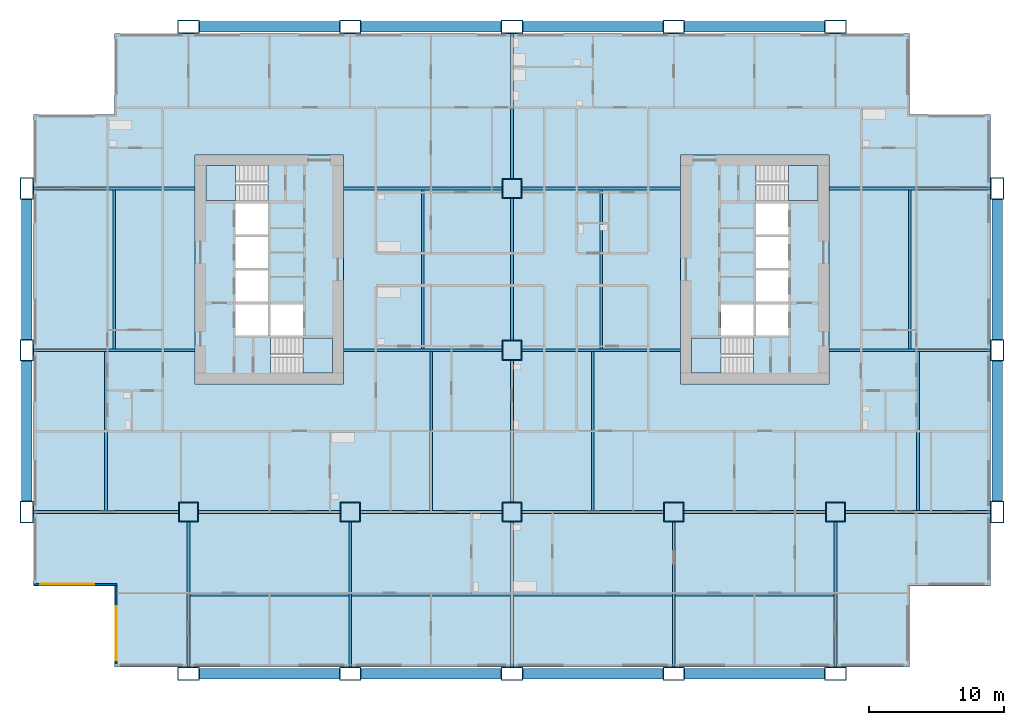
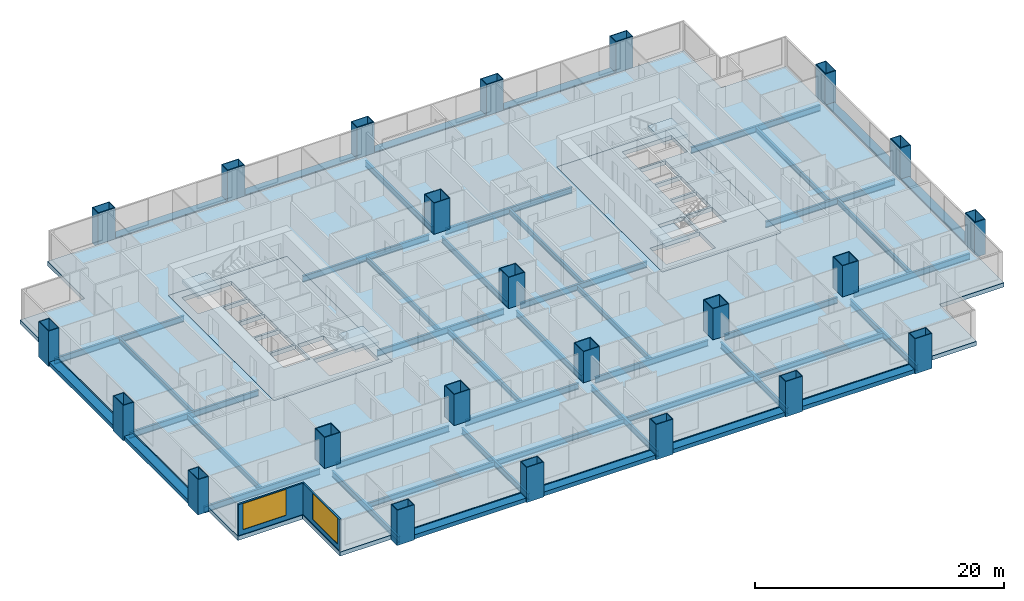
# One storey, part 1 of 13: 46 beams, 23 columns, 7 slabs, 2 walls, 2 windows, 2 openings, 4 elements without a shape of their own.
"""IFC4 building model written with IfcOpenShell, lengths in metres."""

from ifc_helpers import new_model, si_unit, direction, frame, frame_2d, origin, origin_2d, place, context, subcontext, project, spatial, polyline, rectangle, hollow_rectangle, i_section, outline, extrude, material, layer, layer_set, material_profile, profile_set, type_object, element, fill, aggregate, save


model = new_model("IFC4")

# Units and contexts
model_context = context("Model", 3, precision=1e-05, world=origin(), true_north=direction((0.0, 1.0)))
body_context = subcontext(model_context, "Body", "Model", "MODEL_VIEW")
ifc_project = project(units=[si_unit("LENGTHUNIT", "METRE"), si_unit("AREAUNIT", "SQUARE_METRE"), si_unit("VOLUMEUNIT", "CUBIC_METRE"), si_unit("PLANEANGLEUNIT", "RADIAN"), si_unit("MASSUNIT", "GRAM", prefix="KILO")], contexts=[model_context])

# Site, building, storey
site_placement = place(None, origin())
site = spatial("IfcSite", under=ifc_project, at=site_placement, CompositionType="ELEMENT")
building_placement = place(site_placement, origin())
building = spatial("IfcBuilding", under=site, at=building_placement, Name="Kitamizu Gate Tower and Museum", CompositionType="ELEMENT")
storey_placement = place(building_placement, frame((0.0, 0.0, 78.300048828125)))
storey = spatial("IfcBuildingStorey", under=building, at=storey_placement, Name="L19", CompositionType="ELEMENT", Elevation=78.300048828125)

# Columns
ifc_material_1 = material(Name="Steel SM490A bronze coated", Category="steel")
ifc_material_profile_1 = material_profile(ifc_material_1, hollow_rectangle(XDim=1.60009765625, YDim=1.0, WallThickness=0.06494140625, at=origin_2d()), Name="BOX 1600x1000x65")
ifc_profile_set_1 = profile_set([ifc_material_profile_1], Name="Steel SM490A bronze coated")
column_type_1 = type_object("IfcColumnType", Name="Exoskeleton column XC3 BOX 1600x1000x65", PredefinedType="COLUMN", material=ifc_profile_set_1)
for number, where, z_axis, x_axis, name in (
    (1, (0.0, 12.0, -0.400146484375), (0.0, 0.0, 1.0), (0.0, 1.0, 0.0), "Column XC3 1B L19"),
    (2, (0.0, 24.0, -0.400146484375), (0.0, 0.0, 1.0), (0.0, 1.0, 0.0), "Column XC3 1C L19"),
    (3, (0.0, 36.0, -0.400146484375), (0.0, 0.0, 1.0), (0.0, 1.0, 0.0), "Column XC3 1D L19"),
    (4, (12.0, 0.0, -0.400146484375), (0.0, 0.0, 1.0), (1.0, 0.0, 0.0), "Column XC3 2A L19"),
    (5, (12.0, 48.0, -0.400146484375), (0.0, 0.0, 1.0), (1.0, 0.0, 0.0), "Column XC3 2E L19"),
    (6, (24.0, 0.0, -0.400146484375), (0.0, 0.0, 1.0), (1.0, 0.0, 0.0), "Column XC3 3A L19"),
    (7, (24.0, 48.0, -0.400146484375), (0.0, 0.0, 1.0), (1.0, 0.0, 0.0), "Column XC3 3E L19"),
    (8, (36.0, 0.0, -0.400146484375), (0.0, 0.0, 1.0), (1.0, 0.0, 0.0), "Column XC3 4A L19"),
    (9, (36.0, 48.0, -0.400146484375), (0.0, 0.0, 1.0), (1.0, 0.0, 0.0), "Column XC3 4E L19"),
    (10, (48.0, 0.0, -0.400146484375), (0.0, 0.0, 1.0), (1.0, 0.0, 0.0), "Column XC3 5A L19"),
    (11, (48.0, 48.0, -0.400146484375), (0.0, 0.0, 1.0), (1.0, 0.0, 0.0), "Column XC3 5E L19"),
    (12, (60.0, 0.0, -0.400146484375), (0.0, 0.0, 1.0), (1.0, 0.0, 0.0), "Column XC3 6A L19"),
    (13, (60.0, 48.0, -0.400146484375), (0.0, 0.0, 1.0), (1.0, 0.0, 0.0), "Column XC3 6E L19"),
    (14, (72.0, 12.0, -0.400146484375), (0.0, 0.0, 1.0), (0.0, 1.0, 0.0), "Column XC3 7B L19"),
    (15, (72.0, 24.0, -0.400146484375), (0.0, 0.0, 1.0), (0.0, 1.0, 0.0), "Column XC3 7C L19"),
    (16, (72.0, 36.0, -0.400146484375), (0.0, 0.0, 1.0), (0.0, 1.0, 0.0), "Column XC3 7D L19"),
):
    element("IfcColumn", number, at=place(storey_placement, frame(where, z_axis=z_axis, x_axis=x_axis)), inside=storey, type_object=column_type_1, Name=name, PredefinedType="COLUMN", context=body_context, shape_type="SweptSolid", body=[
        extrude(hollow_rectangle(XDim=1.60009765625, YDim=1.0, WallThickness=0.06494140625, at=origin_2d()), origin(), (0.0, 0.0, 1.0), 3.4501953125),
    ])
ifc_material_2 = material(Name="Steel SM490A", Category="steel")
ifc_material_profile_2 = material_profile(ifc_material_2, hollow_rectangle(XDim=1.5, YDim=1.5, WallThickness=0.06494140625, at=origin_2d()), Name="BOX 1500x1500x65")
ifc_profile_set_2 = profile_set([ifc_material_profile_2], Name="Steel SM490A")
column_type_2 = type_object("IfcColumnType", Name="Interior column IC2 BOX 1500x1500x65", PredefinedType="COLUMN", material=ifc_profile_set_2)
for number, where, z_axis, x_axis, name in (
    (17, (12.0, 12.0, 0.0), (0.0, 0.0, 1.0), (1.0, 0.0, 0.0), "Column IC2 2B L19"),
    (18, (24.0, 12.0, 0.0), (0.0, 0.0, 1.0), (1.0, 0.0, 0.0), "Column IC2 3B L19"),
    (19, (36.0, 12.0, 0.0), (0.0, 0.0, 1.0), (1.0, 0.0, 0.0), "Column IC2 4B L19"),
    (20, (36.0, 24.0, 0.0), (0.0, 0.0, 1.0), (1.0, 0.0, 0.0), "Column IC2 4C L19"),
    (21, (36.0, 36.0, 0.0), (0.0, 0.0, 1.0), (1.0, 0.0, 0.0), "Column IC2 4D L19"),
    (22, (48.0, 12.0, 0.0), (0.0, 0.0, 1.0), (1.0, 0.0, 0.0), "Column IC2 5B L19"),
    (23, (60.0, 12.0, 0.0), (0.0, 0.0, 1.0), (1.0, 0.0, 0.0), "Column IC2 6B L19"),
):
    element("IfcColumn", number, at=place(storey_placement, frame(where, z_axis=z_axis, x_axis=x_axis)), inside=storey, type_object=column_type_2, Name=name, PredefinedType="COLUMN", context=body_context, shape_type="SweptSolid", body=[
        extrude(hollow_rectangle(XDim=1.5, YDim=1.5, WallThickness=0.06494140625, at=origin_2d()), origin(), (0.0, 0.0, 1.0), 3.050048828125),
    ])

# Beams
ifc_material_3 = material(Name="Steel SM490A bronze coated", Category="steel")
ifc_material_profile_3 = material_profile(ifc_material_3, hollow_rectangle(XDim=0.800048828125, YDim=0.39990234375, WallThickness=0.0400390625, at=origin_2d()), Name="BOX 800x400x40")
ifc_profile_set_3 = profile_set([ifc_material_profile_3], Name="Steel SM490A bronze coated")
beam_type_1 = type_object("IfcBeamType", Name="Exoskeleton spandrel beam SB1 BOX 800x400x40", PredefinedType="SPANDREL", material=ifc_profile_set_3)
for number, where, z_axis, x_axis, name in (
    (24, (12.800048828125, 0.0, -0.199951171875), (1.0, 0.0, 0.0), (0.0, 1.0, 0.0), "Exoskeleton spandrel beam south 12 L19"),
    (25, (24.800048828125, 0.0, -0.199951171875), (1.0, 0.0, 0.0), (0.0, 1.0, 0.0), "Exoskeleton spandrel beam south 24 L19"),
    (26, (36.800048828125, 0.0, -0.199951171875), (1.0, 0.0, 0.0), (0.0, 1.0, 0.0), "Exoskeleton spandrel beam south 36 L19"),
    (27, (48.800048828125, 0.0, -0.199951171875), (1.0, 0.0, 0.0), (0.0, 1.0, 0.0), "Exoskeleton spandrel beam south 48 L19"),
    (28, (12.800048828125, 48.0, -0.199951171875), (1.0, 0.0, 0.0), (0.0, 1.0, 0.0), "Exoskeleton spandrel beam north 12 L19"),
    (29, (24.800048828125, 48.0, -0.199951171875), (1.0, 0.0, 0.0), (0.0, 1.0, 0.0), "Exoskeleton spandrel beam north 24 L19"),
    (30, (36.800048828125, 48.0, -0.199951171875), (1.0, 0.0, 0.0), (0.0, 1.0, 0.0), "Exoskeleton spandrel beam north 36 L19"),
    (31, (48.800048828125, 48.0, -0.199951171875), (1.0, 0.0, 0.0), (0.0, 1.0, 0.0), "Exoskeleton spandrel beam north 48 L19"),
    (32, (0.0, 12.800048828125, -0.199951171875), (0.0, 1.0, 0.0), (-1.0, 0.0, 0.0), "Exoskeleton spandrel beam west 12 L19"),
    (33, (0.0, 24.800048828125, -0.199951171875), (0.0, 1.0, 0.0), (-1.0, 0.0, 0.0), "Exoskeleton spandrel beam west 24 L19"),
    (34, (72.0, 12.800048828125, -0.199951171875), (0.0, 1.0, 0.0), (-1.0, 0.0, 0.0), "Exoskeleton spandrel beam east 12 L19"),
    (35, (72.0, 24.800048828125, -0.199951171875), (0.0, 1.0, 0.0), (-1.0, 0.0, 0.0), "Exoskeleton spandrel beam east 24 L19"),
):
    element("IfcBeam", number, at=place(storey_placement, frame(where, z_axis=z_axis, x_axis=x_axis)), inside=storey, type_object=beam_type_1, Name=name, PredefinedType="SPANDREL", context=body_context, shape_type="SweptSolid", body=[
        extrude(hollow_rectangle(XDim=0.800048828125, YDim=0.39990234375, WallThickness=0.0400390625, at=origin_2d()), origin(), (0.0, 0.0, 1.0), 10.39990234375),
    ])
ifc_material_4 = material(Name="Steel SM490A", Category="steel")
ifc_material_profile_4 = material_profile(ifc_material_4, i_section(OverallWidth=0.199951171875, OverallDepth=0.5, WebThickness=0.010009765625, FlangeThickness=0.01611328125, FilletRadius=0.02001953125, at=origin_2d()), Name="H-500x200x10x16")
ifc_profile_set_4 = profile_set([ifc_material_profile_4], Name="Steel SM490A")
beam_type_2 = type_object("IfcBeamType", Name="Floor beam FB1 H 500x200x10x16", PredefinedType="BEAM", material=ifc_profile_set_4)
for number, where, z_axis, x_axis, name in (
    (36, (12.10009765625, 5.875, -0.650146484375), (1.0, 0.0, 0.0), (0.0, 1.0, 0.0), "Floor beam FB1 L19-1"),
    (37, (24.10009765625, 5.875, -0.650146484375), (1.0, 0.0, 0.0), (0.0, 1.0, 0.0), "Floor beam FB1 L19-2"),
    (38, (36.10009765625, 5.875, -0.650146484375), (1.0, 0.0, 0.0), (0.0, 1.0, 0.0), "Floor beam FB1 L19-3"),
    (39, (48.10009765625, 5.875, -0.650146484375), (1.0, 0.0, 0.0), (0.0, 1.0, 0.0), "Floor beam FB1 L19-4"),
    (40, (5.875, 12.10009765625, -0.650146484375), (0.0, 1.0, 0.0), (-1.0, 0.0, 0.0), "Floor beam FB1 L19-5"),
    (41, (30.0, 12.10009765625, -0.650146484375), (0.0, 1.0, 0.0), (-1.0, 0.0, 0.0), "Floor beam FB1 L19-6"),
    (42, (42.0, 12.10009765625, -0.650146484375), (0.0, 1.0, 0.0), (-1.0, 0.0, 0.0), "Floor beam FB1 L19-7"),
    (43, (66.125, 12.10009765625, -0.650146484375), (0.0, 1.0, 0.0), (-1.0, 0.0, 0.0), "Floor beam FB1 L19-8"),
    (44, (6.5, 24.10009765625, -0.650146484375), (0.0, 1.0, 0.0), (-1.0, 0.0, 0.0), "Floor beam FB1 L19-9"),
    (45, (29.375, 24.10009765625, -0.650146484375), (0.0, 1.0, 0.0), (-1.0, 0.0, 0.0), "Floor beam FB1 L19-10"),
    (46, (42.625, 24.10009765625, -0.650146484375), (0.0, 1.0, 0.0), (-1.0, 0.0, 0.0), "Floor beam FB1 L19-11"),
    (47, (65.5, 24.10009765625, -0.650146484375), (0.0, 1.0, 0.0), (-1.0, 0.0, 0.0), "Floor beam FB1 L19-12"),
):
    element("IfcBeam", number, at=place(storey_placement, frame(where, z_axis=z_axis, x_axis=x_axis)), inside=storey, type_object=beam_type_2, Name=name, PredefinedType="BEAM", context=body_context, shape_type="SweptSolid", body=[
        extrude(i_section(OverallWidth=0.199951171875, OverallDepth=0.5, WebThickness=0.010009765625, FlangeThickness=0.01611328125, FilletRadius=0.02001953125, at=origin_2d()), origin(), (0.0, 0.0, 1.0), 11.7998046875),
    ])
ifc_material_5 = material(Name="Steel SM490A", Category="steel")
ifc_material_profile_5 = material_profile(ifc_material_5, i_section(OverallWidth=0.199951171875, OverallDepth=0.60009765625, WebThickness=0.010986328125, FlangeThickness=0.01708984375, FilletRadius=0.02197265625, at=origin_2d()), Name="H-600x200x11x17")
ifc_profile_set_5 = profile_set([ifc_material_profile_5], Name="Steel SM490A")
beam_type_3 = type_object("IfcBeamType", Name="Floor girder FG1 H 600x200x11x17", PredefinedType="BEAM", material=ifc_profile_set_5)
for number, where, z_axis, x_axis, name in (
    (48, (12.0, 0.5, -0.699951171875), (0.0, 1.0, 0.0), (-1.0, 0.0, 0.0), "Floor girder FG1 x12 L19"),
    (49, (24.0, 0.5, -0.699951171875), (0.0, 1.0, 0.0), (-1.0, 0.0, 0.0), "Floor girder FG1 x24 L19"),
    (50, (36.0, 0.5, -0.699951171875), (0.0, 1.0, 0.0), (-1.0, 0.0, 0.0), "Floor girder FG1 x36 L19"),
):
    element("IfcBeam", number, at=place(storey_placement, frame(where, z_axis=z_axis, x_axis=x_axis)), inside=storey, type_object=beam_type_3, Name=name, PredefinedType="BEAM", context=body_context, shape_type="SweptSolid", body=[
        extrude(i_section(OverallWidth=0.199951171875, OverallDepth=0.60009765625, WebThickness=0.010986328125, FlangeThickness=0.01708984375, FilletRadius=0.02197265625, at=origin_2d()), origin(), (0.0, 0.0, 1.0), 10.75),
    ])
for number, where, z_axis, x_axis, name in (
    (51, (36.0, 12.75, -0.699951171875), (0.0, 1.0, 0.0), (-1.0, 0.0, 0.0), "Floor girder FG1 x36 L19"),
    (52, (36.0, 24.75, -0.699951171875), (0.0, 1.0, 0.0), (-1.0, 0.0, 0.0), "Floor girder FG1 x36 L19"),
):
    element("IfcBeam", number, at=place(storey_placement, frame(where, z_axis=z_axis, x_axis=x_axis)), inside=storey, type_object=beam_type_3, Name=name, PredefinedType="BEAM", context=body_context, shape_type="SweptSolid", body=[
        extrude(i_section(OverallWidth=0.199951171875, OverallDepth=0.60009765625, WebThickness=0.010986328125, FlangeThickness=0.01708984375, FilletRadius=0.02197265625, at=origin_2d()), origin(), (0.0, 0.0, 1.0), 10.5),
    ])
for number, where, z_axis, x_axis, name in (
    (53, (36.0, 36.75, -0.699951171875), (0.0, 1.0, 0.0), (-1.0, 0.0, 0.0), "Floor girder FG1 x36 L19"),
    (54, (48.0, 0.5, -0.699951171875), (0.0, 1.0, 0.0), (-1.0, 0.0, 0.0), "Floor girder FG1 x48 L19"),
    (55, (60.0, 0.5, -0.699951171875), (0.0, 1.0, 0.0), (-1.0, 0.0, 0.0), "Floor girder FG1 x60 L19"),
    (56, (0.5, 12.0, -0.699951171875), (1.0, 0.0, 0.0), (0.0, 1.0, 0.0), "Floor girder FG1 y12 L19"),
):
    element("IfcBeam", number, at=place(storey_placement, frame(where, z_axis=z_axis, x_axis=x_axis)), inside=storey, type_object=beam_type_3, Name=name, PredefinedType="BEAM", context=body_context, shape_type="SweptSolid", body=[
        extrude(i_section(OverallWidth=0.199951171875, OverallDepth=0.60009765625, WebThickness=0.010986328125, FlangeThickness=0.01708984375, FilletRadius=0.02197265625, at=origin_2d()), origin(), (0.0, 0.0, 1.0), 10.75),
    ])
for number, where, z_axis, x_axis, name in (
    (57, (12.75, 12.0, -0.699951171875), (1.0, 0.0, 0.0), (0.0, 1.0, 0.0), "Floor girder FG1 y12 L19"),
    (58, (24.75, 12.0, -0.699951171875), (1.0, 0.0, 0.0), (0.0, 1.0, 0.0), "Floor girder FG1 y12 L19"),
    (59, (36.75, 12.0, -0.699951171875), (1.0, 0.0, 0.0), (0.0, 1.0, 0.0), "Floor girder FG1 y12 L19"),
    (60, (48.75, 12.0, -0.699951171875), (1.0, 0.0, 0.0), (0.0, 1.0, 0.0), "Floor girder FG1 y12 L19"),
):
    element("IfcBeam", number, at=place(storey_placement, frame(where, z_axis=z_axis, x_axis=x_axis)), inside=storey, type_object=beam_type_3, Name=name, PredefinedType="BEAM", context=body_context, shape_type="SweptSolid", body=[
        extrude(i_section(OverallWidth=0.199951171875, OverallDepth=0.60009765625, WebThickness=0.010986328125, FlangeThickness=0.01708984375, FilletRadius=0.02197265625, at=origin_2d()), origin(), (0.0, 0.0, 1.0), 10.5),
    ])
beam_1_placement = place(storey_placement, frame((60.75, 12.0, -0.699951171875), z_axis=(1.0, 0.0, 0.0), x_axis=(0.0, 1.0, 0.0)))
element("IfcBeam", 61, at=beam_1_placement, inside=storey, type_object=beam_type_3, Name="Floor girder FG1 y12 L19", PredefinedType="BEAM", context=body_context, shape_type="SweptSolid", body=[
    extrude(i_section(OverallWidth=0.199951171875, OverallDepth=0.60009765625, WebThickness=0.010986328125, FlangeThickness=0.01708984375, FilletRadius=0.02197265625, at=origin_2d()), origin(), (0.0, 0.0, 1.0), 10.75),
])
beam_2_placement = place(storey_placement, frame((0.5, 24.0, -0.699951171875), z_axis=(1.0, 0.0, 0.0), x_axis=(0.0, 1.0, 0.0)))
element("IfcBeam", 62, at=beam_2_placement, inside=storey, type_object=beam_type_3, Name="Floor girder FG1 y24 L19", PredefinedType="BEAM", context=body_context, shape_type="SweptSolid", body=[
    extrude(i_section(OverallWidth=0.199951171875, OverallDepth=0.60009765625, WebThickness=0.010986328125, FlangeThickness=0.01708984375, FilletRadius=0.02197265625, at=origin_2d()), origin(), (0.0, 0.0, 1.0), 12.0),
])
for number, where, z_axis, x_axis, name in (
    (63, (23.5, 24.0, -0.699951171875), (1.0, 0.0, 0.0), (0.0, 1.0, 0.0), "Floor girder FG1 y24 L19"),
    (64, (36.75, 24.0, -0.699951171875), (1.0, 0.0, 0.0), (0.0, 1.0, 0.0), "Floor girder FG1 y24 L19"),
):
    element("IfcBeam", number, at=place(storey_placement, frame(where, z_axis=z_axis, x_axis=x_axis)), inside=storey, type_object=beam_type_3, Name=name, PredefinedType="BEAM", context=body_context, shape_type="SweptSolid", body=[
        extrude(i_section(OverallWidth=0.199951171875, OverallDepth=0.60009765625, WebThickness=0.010986328125, FlangeThickness=0.01708984375, FilletRadius=0.02197265625, at=origin_2d()), origin(), (0.0, 0.0, 1.0), 11.75),
    ])
for number, where, z_axis, x_axis, name in (
    (65, (59.5, 24.0, -0.699951171875), (1.0, 0.0, 0.0), (0.0, 1.0, 0.0), "Floor girder FG1 y24 L19"),
    (66, (0.5, 36.0, -0.699951171875), (1.0, 0.0, 0.0), (0.0, 1.0, 0.0), "Floor girder FG1 y36 L19"),
):
    element("IfcBeam", number, at=place(storey_placement, frame(where, z_axis=z_axis, x_axis=x_axis)), inside=storey, type_object=beam_type_3, Name=name, PredefinedType="BEAM", context=body_context, shape_type="SweptSolid", body=[
        extrude(i_section(OverallWidth=0.199951171875, OverallDepth=0.60009765625, WebThickness=0.010986328125, FlangeThickness=0.01708984375, FilletRadius=0.02197265625, at=origin_2d()), origin(), (0.0, 0.0, 1.0), 12.0),
    ])
for number, where, z_axis, x_axis, name in (
    (67, (23.5, 36.0, -0.699951171875), (1.0, 0.0, 0.0), (0.0, 1.0, 0.0), "Floor girder FG1 y36 L19"),
    (68, (36.75, 36.0, -0.699951171875), (1.0, 0.0, 0.0), (0.0, 1.0, 0.0), "Floor girder FG1 y36 L19"),
):
    element("IfcBeam", number, at=place(storey_placement, frame(where, z_axis=z_axis, x_axis=x_axis)), inside=storey, type_object=beam_type_3, Name=name, PredefinedType="BEAM", context=body_context, shape_type="SweptSolid", body=[
        extrude(i_section(OverallWidth=0.199951171875, OverallDepth=0.60009765625, WebThickness=0.010986328125, FlangeThickness=0.01708984375, FilletRadius=0.02197265625, at=origin_2d()), origin(), (0.0, 0.0, 1.0), 11.75),
    ])
beam_3_placement = place(storey_placement, frame((59.5, 36.0, -0.699951171875), z_axis=(1.0, 0.0, 0.0), x_axis=(0.0, 1.0, 0.0)))
element("IfcBeam", 69, at=beam_3_placement, inside=storey, type_object=beam_type_3, Name="Floor girder FG1 y36 L19", PredefinedType="BEAM", context=body_context, shape_type="SweptSolid", body=[
    extrude(i_section(OverallWidth=0.199951171875, OverallDepth=0.60009765625, WebThickness=0.010986328125, FlangeThickness=0.01708984375, FilletRadius=0.02197265625, at=origin_2d()), origin(), (0.0, 0.0, 1.0), 12.0),
])

# Slabs
ifc_material_6 = material(Name="Concrete Fc36", Category="concrete")
ifc_layer_1 = layer(ifc_material_6, 0.39990234375)
ifc_layer_set_1 = layer_set([ifc_layer_1], Name="Concrete Fc36")
slab_type_1 = type_object("IfcSlabType", Name="Core floor slab 400", PredefinedType="FLOOR", material=ifc_layer_set_1)
slab_1_placement = place(storey_placement, frame((0.0, 0.0, -0.400146484375)))
element("IfcSlab", 70, at=slab_1_placement, inside=storey, type_object=slab_type_1, Name="Core floor slab W", PredefinedType="FLOOR", context=body_context, shape_type="SweptSolid", body=[
    extrude(outline(polyline([(12.5, 21.5), (23.5, 21.5), (23.5, 38.5), (12.5, 38.5), (12.5, 21.5)]), holes=[polyline([(15.5, 25.10009765625), (17.89990234375, 25.10009765625), (17.89990234375, 27.39990234375), (15.5, 27.39990234375), (15.5, 25.10009765625)]), polyline([(15.5, 27.60009765625), (17.89990234375, 27.60009765625), (17.89990234375, 29.89990234375), (15.5, 29.89990234375), (15.5, 27.60009765625)]), polyline([(15.5, 30.10009765625), (17.89990234375, 30.10009765625), (17.89990234375, 32.39990234375), (15.5, 32.39990234375), (15.5, 30.10009765625)]), polyline([(15.5, 32.60009765625), (17.89990234375, 32.60009765625), (17.89990234375, 34.89990234375), (15.5, 34.89990234375), (15.5, 32.60009765625)]), polyline([(18.10009765625, 25.10009765625), (20.5, 25.10009765625), (20.5, 27.39990234375), (18.10009765625, 27.39990234375), (18.10009765625, 25.10009765625)]), polyline([(18.1005859375, 22.300048828125), (22.699951171875, 22.300048828125), (22.699951171875, 24.89990234375), (18.1005859375, 24.89990234375), (18.1005859375, 22.300048828125)]), polyline([(13.300048828125, 35.10009765625), (17.8994140625, 35.10009765625), (17.8994140625, 37.699951171875), (13.300048828125, 37.699951171875), (13.300048828125, 35.10009765625)])]), origin(), (0.0, 0.0, 1.0), 0.400146484375),
])
slab_2_placement = place(storey_placement, frame((0.0, 0.0, -0.400146484375)))
element("IfcSlab", 71, at=slab_2_placement, inside=storey, type_object=slab_type_1, Name="Core floor slab E", PredefinedType="FLOOR", context=body_context, shape_type="SweptSolid", body=[
    extrude(outline(polyline([(48.5, 21.5), (59.5, 21.5), (59.5, 38.5), (48.5, 38.5), (48.5, 21.5)]), holes=[polyline([(54.10009765625, 25.10009765625), (56.5, 25.10009765625), (56.5, 27.39990234375), (54.10009765625, 27.39990234375), (54.10009765625, 25.10009765625)]), polyline([(54.10009765625, 27.60009765625), (56.5, 27.60009765625), (56.5, 29.89990234375), (54.10009765625, 29.89990234375), (54.10009765625, 27.60009765625)]), polyline([(54.10009765625, 30.10009765625), (56.5, 30.10009765625), (56.5, 32.39990234375), (54.10009765625, 32.39990234375), (54.10009765625, 30.10009765625)]), polyline([(54.10009765625, 32.60009765625), (56.5, 32.60009765625), (56.5, 34.89990234375), (54.10009765625, 34.89990234375), (54.10009765625, 32.60009765625)]), polyline([(51.5, 25.10009765625), (53.89990234375, 25.10009765625), (53.89990234375, 27.39990234375), (51.5, 27.39990234375), (51.5, 25.10009765625)]), polyline([(49.300048828125, 22.300048828125), (53.8994140625, 22.300048828125), (53.8994140625, 24.89990234375), (49.300048828125, 24.89990234375), (49.300048828125, 22.300048828125)]), polyline([(54.1005859375, 35.10009765625), (58.699951171875, 35.10009765625), (58.699951171875, 37.699951171875), (54.1005859375, 37.699951171875), (54.1005859375, 35.10009765625)])]), origin(), (0.0, 0.0, 1.0), 0.400146484375),
])
ifc_material_7 = material(Name="Concrete Fc36", Category="concrete")
ifc_layer_2 = layer(ifc_material_7, 0.39990234375)
ifc_layer_set_2 = layer_set([ifc_layer_2], Name="Concrete Fc36")
slab_type_2 = type_object("IfcSlabType", Name="Post tensioned flat slab 400", PredefinedType="FLOOR", material=ifc_layer_set_2)
slab_3_placement = place(storey_placement, frame((0.0, 0.0, -0.400146484375)))
element("IfcSlab", 72, at=slab_3_placement, inside=storey, type_object=slab_type_2, Name="Floor slab L19-1", PredefinedType="FLOOR", context=body_context, shape_type="SweptSolid", body=[
    extrude(outline(polyline([(0.5, 6.5), (0.5, 41.5), (6.5, 41.5), (6.5, 47.5), (65.5, 47.5), (65.5, 41.5), (71.5, 41.5), (71.5, 6.5), (65.5, 6.5), (65.5, 0.5), (6.5, 0.5), (6.5, 6.5), (0.5, 6.5)]), holes=[polyline([(59.5, 38.5), (48.5, 38.5), (48.5, 21.5), (59.5, 21.5), (59.5, 38.5)]), polyline([(12.5, 38.5), (12.5, 21.5), (23.5, 21.5), (23.5, 38.5), (12.5, 38.5)])]), origin(), (0.0, 0.0, 1.0), 0.400146484375),
])

# Stair, slab
ifc_material_8 = material(Name="Concrete Fc42", Category="concrete")
stair_type = type_object("IfcStairType", Name="Exit stair 1200 wide 192 rise 300 going", PredefinedType="HALF_TURN_STAIR", material=ifc_material_8)
stair_1_placement = place(storey_placement, origin())
stair_1 = element("IfcStair", 73, at=stair_1_placement, inside=storey, type_object=stair_type, Name="Exit stair ST1", PredefinedType="HALF_TURN_STAIR")
ifc_material_9 = material(Name="Concrete Fc42", Category="concrete")
ifc_layer_3 = layer(ifc_material_9, 0.300048828125)
ifc_layer_set_3 = layer_set([ifc_layer_3], Name="Concrete Fc42")
slab_type_3 = type_object("IfcSlabType", Name="Stair landing 300", PredefinedType="LANDING", material=ifc_layer_set_3)
slab_4_placement = place(storey_placement, frame((0.0, 0.0, 1.425048828125)))
slab_4 = element("IfcSlab", 74, at=slab_4_placement, type_object=slab_type_3, Name="ST1 landing 1", PredefinedType="LANDING", context=body_context, shape_type="SweptSolid", body=[
    extrude(outline(polyline([(20.5, 22.300048828125), (22.699951171875, 22.300048828125), (22.699951171875, 24.89990234375), (20.5, 24.89990234375), (20.5, 22.300048828125)])), origin(), (0.0, 0.0, 1.0), 0.2998046875),
])
aggregate(stair_1, [slab_4])

stair_2_placement = place(storey_placement, origin())
stair_2 = element("IfcStair", 75, at=stair_2_placement, inside=storey, type_object=stair_type, Name="Exit stair ST2", PredefinedType="HALF_TURN_STAIR")
slab_5_placement = place(storey_placement, frame((0.0, 0.0, 1.425048828125)))
slab_5 = element("IfcSlab", 76, at=slab_5_placement, type_object=slab_type_3, Name="ST2 landing 1", PredefinedType="LANDING", context=body_context, shape_type="SweptSolid", body=[
    extrude(outline(polyline([(13.300048828125, 35.10009765625), (15.5, 35.10009765625), (15.5, 37.699951171875), (13.300048828125, 37.699951171875), (13.300048828125, 35.10009765625)])), origin(), (0.0, 0.0, 1.0), 0.2998046875),
])
aggregate(stair_2, [slab_5])

stair_3_placement = place(storey_placement, origin())
stair_3 = element("IfcStair", 77, at=stair_3_placement, inside=storey, type_object=stair_type, Name="Exit stair ST3", PredefinedType="HALF_TURN_STAIR")
slab_6_placement = place(storey_placement, frame((0.0, 0.0, 1.425048828125)))
slab_6 = element("IfcSlab", 78, at=slab_6_placement, type_object=slab_type_3, Name="ST3 landing 1", PredefinedType="LANDING", context=body_context, shape_type="SweptSolid", body=[
    extrude(outline(polyline([(49.300048828125, 22.300048828125), (51.5, 22.300048828125), (51.5, 24.89990234375), (49.300048828125, 24.89990234375), (49.300048828125, 22.300048828125)])), origin(), (0.0, 0.0, 1.0), 0.2998046875),
])
aggregate(stair_3, [slab_6])

stair_4_placement = place(storey_placement, origin())
stair_4 = element("IfcStair", 79, at=stair_4_placement, inside=storey, type_object=stair_type, Name="Exit stair ST4", PredefinedType="HALF_TURN_STAIR")
slab_7_placement = place(storey_placement, frame((0.0, 0.0, 1.425048828125)))
slab_7 = element("IfcSlab", 80, at=slab_7_placement, type_object=slab_type_3, Name="ST4 landing 1", PredefinedType="LANDING", context=body_context, shape_type="SweptSolid", body=[
    extrude(outline(polyline([(56.5, 35.10009765625), (58.699951171875, 35.10009765625), (58.699951171875, 37.699951171875), (56.5, 37.699951171875), (56.5, 35.10009765625)])), origin(), (0.0, 0.0, 1.0), 0.2998046875),
])
aggregate(stair_4, [slab_7])

# Wall, opening, window
ifc_material_10 = material(Name="Bronze anodised aluminium frame with insulated spandrel and tinted glass", Category="aluminium")
ifc_layer_4 = layer(ifc_material_10, 0.14990234375)
ifc_layer_set_4 = layer_set([ifc_layer_4], Name="Bronze anodised aluminium frame with insulated spandrel and tinted glass")
wall_type = type_object("IfcWallType", Name="WINDOW WALL 150 BRONZE FRAME EI 30", PredefinedType="ELEMENTEDWALL", material=ifc_layer_set_4)
wall_1_placement = place(storey_placement, frame((0.56005859375, 6.635009765625, 0.0), z_axis=(0.0, 0.0, 1.0), x_axis=(1.0, 0.0, 0.0)))
wall_1 = element("IfcWall", 81, at=wall_1_placement, inside=storey, type_object=wall_type, Name="Window wall south L19", PredefinedType="ELEMENTEDWALL", context=body_context, shape_type="SweptSolid", body=[
    extrude(rectangle(XDim=6.14990234375, YDim=0.14990234375, at=frame_2d((3.074951171875, 0.0))), origin(), (0.0, 0.0, 1.0), 3.050048828125),
])
opening_1_placement = place(wall_1_placement, frame((0.43994140625, 0.0, 0.449951171875)))
opening_1 = element("IfcOpeningElement", 82, at=opening_1_placement, cuts=wall_1, Name="Opening W16", PredefinedType="OPENING", context=body_context, shape_type="SweptSolid", body=[
    extrude(rectangle(XDim=4.0, YDim=2.550048828125, at=frame_2d((2.0, 1.27490234375))), frame((0.0, 0.0849609375, 0.0), z_axis=(0.0, -1.0, 0.0), x_axis=(1.0, 0.0, 0.0)), (0.0, 0.0, 1.0), 0.169921875),
])
ifc_material_11 = material(Name="Bronze anodised aluminium frame, tinted triple glazing", Category="aluminium")
window_type = type_object("IfcWindowType", Name="WINDOW 4000 x 2550 SILL 450", PartitioningType="SINGLE_PANEL", PredefinedType="WINDOW", material=ifc_material_11)
window_1_placement = place(opening_1_placement, origin())
window_1 = element("IfcWindow", 83, at=window_1_placement, inside=storey, type_object=window_type, Name="Window W16 L19", OverallHeight=2.550048828125, OverallWidth=4.0, PartitioningType="SINGLE_PANEL", PredefinedType="WINDOW", context=body_context, shape_type="SweptSolid", body=[
    extrude(rectangle(XDim=4.0, YDim=2.550048828125, at=frame_2d((2.0, 1.27490234375))), frame((0.0, 0.030029296875, 0.0), z_axis=(0.0, -1.0, 0.0), x_axis=(1.0, 0.0, 0.0)), (0.0, 0.0, 1.0), 0.06005859375),
])
fill(opening_1, window_1)

wall_2_placement = place(storey_placement, frame((6.635009765625, 0.7099609375, 0.0), z_axis=(0.0, 0.0, 1.0), x_axis=(0.0, 1.0, 0.0)))
wall_2 = element("IfcWall", 84, at=wall_2_placement, inside=storey, type_object=wall_type, Name="Window wall west L19", PredefinedType="ELEMENTEDWALL", context=body_context, shape_type="SweptSolid", body=[
    extrude(rectangle(XDim=5.85009765625, YDim=0.14990234375, at=frame_2d((2.925048828125, 0.0))), origin(), (0.0, 0.0, 1.0), 3.050048828125),
])
opening_2_placement = place(wall_2_placement, frame((0.2900390625, 0.0, 0.449951171875)))
opening_2 = element("IfcOpeningElement", 85, at=opening_2_placement, cuts=wall_2, Name="Opening W16", PredefinedType="OPENING", context=body_context, shape_type="SweptSolid", body=[
    extrude(rectangle(XDim=4.0, YDim=2.550048828125, at=frame_2d((2.0, 1.27490234375))), frame((0.0, 0.0849609375, 0.0), z_axis=(0.0, -1.0, 0.0), x_axis=(1.0, 0.0, 0.0)), (0.0, 0.0, 1.0), 0.169921875),
])
window_2_placement = place(opening_2_placement, origin())
window_2 = element("IfcWindow", 86, at=window_2_placement, inside=storey, type_object=window_type, Name="Window W16 L19", OverallHeight=2.550048828125, OverallWidth=4.0, PartitioningType="SINGLE_PANEL", PredefinedType="WINDOW", context=body_context, shape_type="SweptSolid", body=[
    extrude(rectangle(XDim=4.0, YDim=2.550048828125, at=frame_2d((2.0, 1.27490234375))), frame((0.0, 0.030029296875, 0.0), z_axis=(0.0, -1.0, 0.0), x_axis=(1.0, 0.0, 0.0)), (0.0, 0.0, 1.0), 0.06005859375),
])
fill(opening_2, window_2)

save(model, "model.ifc")
